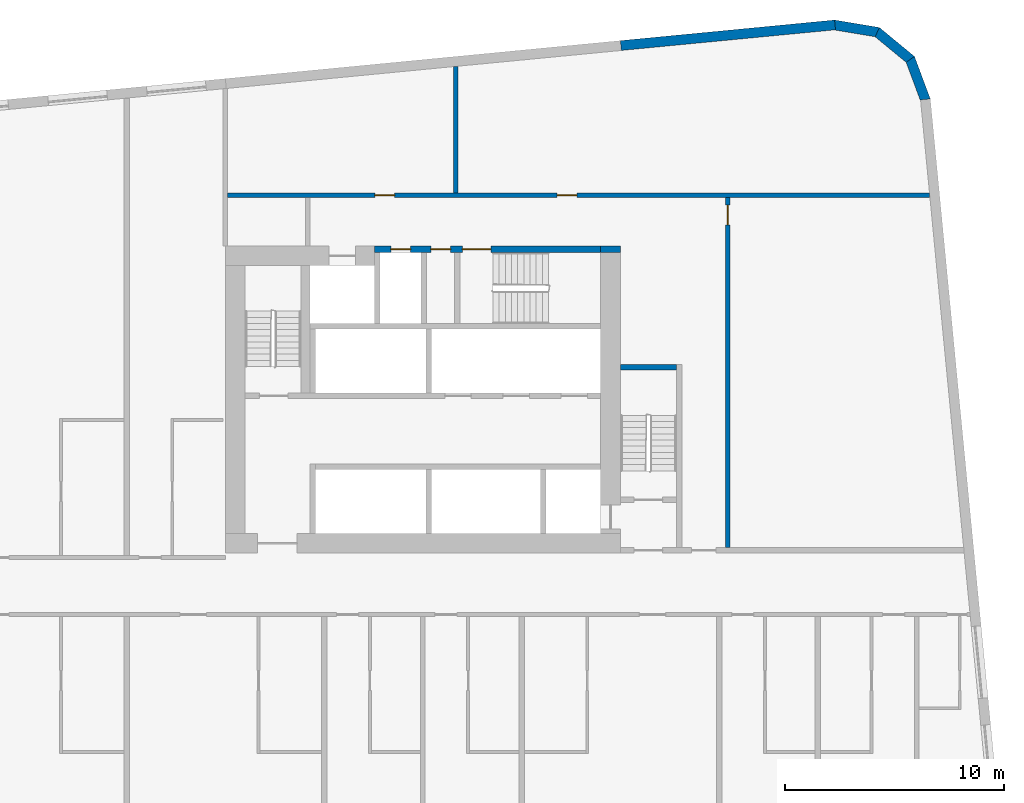
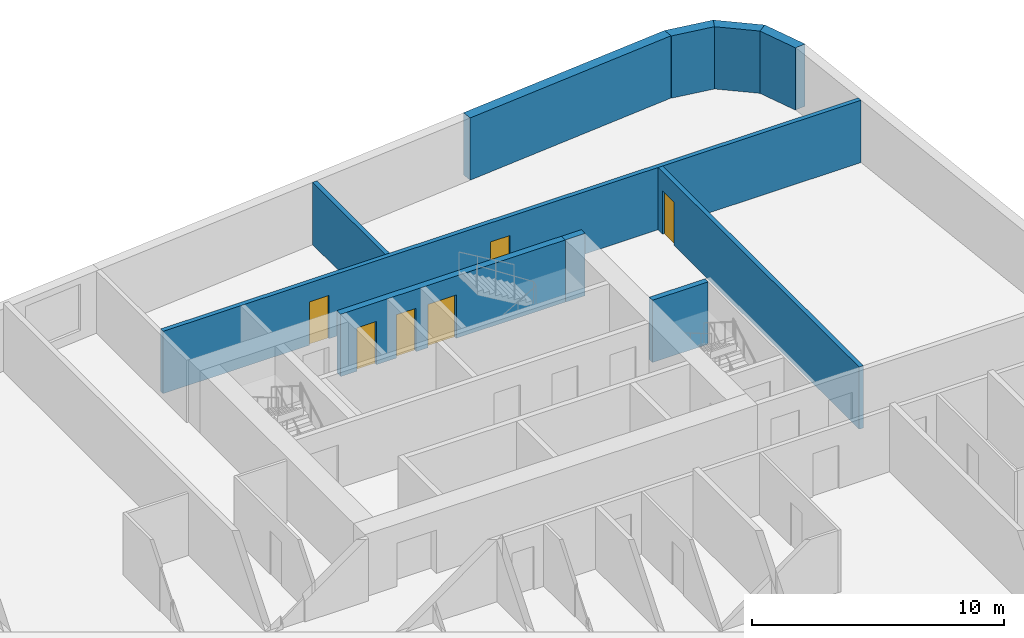
# One storey, part 8 of 12: 10 walls, 6 doors, 6 openings.
"""IFC4 building model written with IfcOpenShell, lengths in metres."""

from ifc_helpers import new_model, si_unit, direction, frame, frame_2d, origin, place, context, subcontext, project, spatial, polyline, rectangle, outline, extrude, material, layer, layer_set, type_object, element, fill, save


model = new_model("IFC4")

# Units and contexts
model_context = context("Model", 3, precision=1e-05, world=origin(), true_north=direction((0.0, 1.0)))
body_context = subcontext(model_context, "Body", "Model", "MODEL_VIEW")
ifc_project = project(units=[si_unit("LENGTHUNIT", "METRE"), si_unit("AREAUNIT", "SQUARE_METRE"), si_unit("VOLUMEUNIT", "CUBIC_METRE"), si_unit("PLANEANGLEUNIT", "RADIAN"), si_unit("MASSUNIT", "GRAM", prefix="KILO")], contexts=[model_context])

# Site, building, storey
site_placement = place(None, origin())
site = spatial("IfcSite", under=ifc_project, at=site_placement, CompositionType="ELEMENT")
building_placement = place(site_placement, origin())
building = spatial("IfcBuilding", under=site, at=building_placement, Name="Kajstack Hotel Tower", CompositionType="ELEMENT")
storey_placement = place(building_placement, frame((0.0, 0.0, 137.199951171875)))
storey = spatial("IfcBuildingStorey", under=building, at=storey_placement, Name="L31", CompositionType="ELEMENT", Elevation=137.199951171875)

# Walls
ifc_material_1 = material(Name="Concrete C60/75", Category="concrete")
ifc_layer_1 = layer(ifc_material_1, 0.89990234375)
ifc_layer_set_1 = layer_set([ifc_layer_1], Name="Core wall 900")
wall_type_1 = type_object("IfcWallType", Name="Core wall 900", PredefinedType="SHEAR", material=ifc_layer_set_1)
wall_1_placement = place(storey_placement, frame((30.60009765625, 15.35009765625, 0.0), z_axis=(0.0, 0.0, 1.0), x_axis=(1.0, 0.0, 0.0)))
element("IfcWall", 1, at=wall_1_placement, inside=storey, type_object=wall_type_1, Name="Core wall E RSW", PredefinedType="SHEAR", context=body_context, shape_type="SweptSolid", body=[
    extrude(rectangle(XDim=0.89990234375, YDim=0.300048828125, at=frame_2d((0.449951171875, 0.0))), origin(), (0.0, 0.0, 1.0), 3.02001953125),
])
ifc_material_2 = material(Name="Terracotta-faced brick masonry", Category="masonry")
ifc_layer_2 = layer(ifc_material_2, 0.449951171875)
ifc_layer_set_2 = layer_set([ifc_layer_2], Name="EW-TERRA")
wall_type_2 = type_object("IfcWallType", Name="EW-TERRA", PredefinedType="SOLIDWALL", material=ifc_layer_set_2)
wall_2_placement = place(storey_placement, frame((45.41162109375, 22.10986328125, 0.0), z_axis=(0.0, 0.0, 1.0), x_axis=(-0.350192909346, 0.936677599948, 0.0)))
element("IfcWall", 2, at=wall_2_placement, inside=storey, type_object=wall_type_2, Name="E-wall-L31-09-00", PredefinedType="SOLIDWALL", context=body_context, shape_type="SweptSolid", body=[
    extrude(outline(polyline([(0.0, -0.22509765625), (2.070556640625, -0.22509765625), (1.949951171875, 0.224853515625), (0.12060546875, 0.224853515625), (0.0, -0.22509765625)])), origin(), (0.0, 0.0, 1.0), 3.02001953125),
])
wall_3_placement = place(storey_placement, frame((44.754150390625, 23.95458984375, 0.0), z_axis=(0.0, 0.0, 1.0), x_axis=(-0.771651049663, 0.636046112757, 0.0)))
element("IfcWall", 3, at=wall_3_placement, inside=storey, type_object=wall_type_2, Name="E-wall-L31-10-00", PredefinedType="SOLIDWALL", context=body_context, shape_type="SweptSolid", body=[
    extrude(outline(polyline([(0.0, -0.22509765625), (2.070556640625, -0.22509765625), (1.949951171875, 0.224853515625), (0.12060546875, 0.22509765625), (0.0, -0.22509765625)])), origin(), (0.0, 0.0, 1.0), 3.02001953125),
])
wall_4_placement = place(storey_placement, frame((43.262451171875, 25.223388671875, 0.0), z_axis=(0.0, 0.0, 1.0), x_axis=(-0.986298144721, 0.164972633245, 0.0)))
element("IfcWall", 4, at=wall_4_placement, inside=storey, type_object=wall_type_2, Name="E-wall-L31-11-00", PredefinedType="SOLIDWALL", context=body_context, shape_type="SweptSolid", body=[
    extrude(outline(polyline([(0.0, -0.224853515625), (2.070556640625, -0.22509765625), (1.949951171875, 0.22509765625), (0.12060546875, 0.22509765625), (0.0, -0.224853515625)])), origin(), (0.0, 0.0, 1.0), 3.02001953125),
])
wall_5_placement = place(storey_placement, frame((41.279052734375, 25.56298828125, 0.0), z_axis=(0.0, 0.0, 1.0), x_axis=(-0.995394735506, -0.095860943703, 0.0)))
element("IfcWall", 5, at=wall_5_placement, inside=storey, type_object=wall_type_2, Name="E-wall-L31-12-00", PredefinedType="SOLIDWALL", context=body_context, shape_type="SweptSolid", body=[
    extrude(rectangle(XDim=9.802734375, YDim=0.449951171875, at=frame_2d((4.9013671875, 0.0))), origin(), (0.0, 0.0, 1.0), 3.02001953125),
])

# Wall, opening, door
ifc_material_3 = material(Name="Gypsum board on steel studs, mineral wool", Category="steel")
ifc_layer_3 = layer(ifc_material_3, 0.199951171875)
ifc_layer_set_3 = layer_set([ifc_layer_3], Name="Service partition 200")
wall_type_3 = type_object("IfcWallType", Name="Service partition 200", PredefinedType="PARTITIONING", material=ifc_layer_set_3)
wall_6_placement = place(storey_placement, frame((36.39990234375, 1.75, 0.0), z_axis=(0.0, 0.0, 1.0), x_axis=(0.0, 1.0, 0.0)))
wall_6 = element("IfcWall", 6, at=wall_6_placement, inside=storey, type_object=wall_type_3, Name="Partition E WRE", PredefinedType="PARTITIONING", context=body_context, shape_type="SweptSolid", body=[
    extrude(rectangle(XDim=15.949951171875, YDim=0.199951171875, at=frame_2d((7.97509765625, 0.0))), origin(), (0.0, 0.0, 1.0), 3.02001953125),
])
opening_1_placement = place(wall_6_placement, frame((14.699951171875, 0.0, 0.0)))
opening_1 = element("IfcOpeningElement", 7, at=opening_1_placement, cuts=wall_6, Name="Opening 31E16", PredefinedType="OPENING", context=body_context, shape_type="SweptSolid", body=[
    extrude(rectangle(XDim=0.89990234375, YDim=2.10009765625, at=frame_2d((0.449951171875, 1.050048828125))), frame((0.0, 0.10986328125, 0.0), z_axis=(0.0, -1.0, 0.0), x_axis=(1.0, 0.0, 0.0)), (0.0, 0.0, 1.0), 0.219970703125),
])
ifc_material_4 = material(Name="Timber leaf, fire-rated", Category="wood")
door_type_1 = type_object("IfcDoorType", Name="Service door 900", OperationType="SINGLE_SWING_LEFT", PredefinedType="DOOR", material=ifc_material_4)
door_1_placement = place(opening_1_placement, origin())
door_1 = element("IfcDoor", 8, at=door_1_placement, inside=storey, type_object=door_type_1, Name="Door 31E16", OperationType="SINGLE_SWING_RIGHT", OverallHeight=2.10009765625, OverallWidth=0.89990234375, PredefinedType="DOOR", context=body_context, shape_type="SweptSolid", body=[
    extrude(rectangle(XDim=0.89990234375, YDim=2.10009765625, at=frame_2d((0.449951171875, 1.050048828125))), frame((0.0, 0.02490234375, 0.0), z_axis=(0.0, -1.0, 0.0), x_axis=(1.0, 0.0, 0.0)), (0.0, 0.0, 1.0), 0.050048828125),
])
fill(opening_1, door_1)

# Wall, openings, doors
wall_7_placement = place(storey_placement, frame((13.60009765625, 17.800048828125, 0.0), z_axis=(0.0, 0.0, 1.0), x_axis=(1.0, 0.0, 0.0)))
wall_7 = element("IfcWall", 9, at=wall_7_placement, inside=storey, type_object=wall_type_3, Name="Partition E SLN", PredefinedType="PARTITIONING", context=body_context, shape_type="SweptSolid", body=[
    extrude(rectangle(XDim=31.992919921875, YDim=0.199951171875, at=frame_2d((15.99658203125, 0.0))), origin(), (0.0, 0.0, 1.0), 3.02001953125),
])
opening_2_placement = place(wall_7_placement, frame((15.012451171875, 0.0, 0.0)))
opening_2 = element("IfcOpeningElement", 10, at=opening_2_placement, cuts=wall_7, Name="Opening 31E14", PredefinedType="OPENING", context=body_context, shape_type="SweptSolid", body=[
    extrude(rectangle(XDim=0.89990234375, YDim=2.10009765625, at=frame_2d((0.449951171875, 1.050048828125))), frame((0.0, 0.10986328125, 0.0), z_axis=(0.0, -1.0, 0.0), x_axis=(1.0, 0.0, 0.0)), (0.0, 0.0, 1.0), 0.219970703125),
])
opening_3_placement = place(wall_7_placement, frame((6.71240234375, 0.0, 0.0)))
opening_3 = element("IfcOpeningElement", 11, at=opening_3_placement, cuts=wall_7, Name="Opening 31E15", PredefinedType="OPENING", context=body_context, shape_type="SweptSolid", body=[
    extrude(rectangle(XDim=0.89990234375, YDim=2.10009765625, at=frame_2d((0.449951171875, 1.050048828125))), frame((0.0, 0.10986328125, 0.0), z_axis=(0.0, -1.0, 0.0), x_axis=(1.0, 0.0, 0.0)), (0.0, 0.0, 1.0), 0.219970703125),
])
door_2_placement = place(opening_2_placement, origin())
door_2 = element("IfcDoor", 12, at=door_2_placement, inside=storey, type_object=door_type_1, Name="Door 31E14", OperationType="SINGLE_SWING_LEFT", OverallHeight=2.10009765625, OverallWidth=0.89990234375, PredefinedType="DOOR", context=body_context, shape_type="SweptSolid", body=[
    extrude(rectangle(XDim=0.89990234375, YDim=2.10009765625, at=frame_2d((0.449951171875, 1.050048828125))), frame((0.0, 0.02490234375, 0.0), z_axis=(0.0, -1.0, 0.0), x_axis=(1.0, 0.0, 0.0)), (0.0, 0.0, 1.0), 0.050048828125),
])
fill(opening_2, door_2)
door_3_placement = place(opening_3_placement, origin())
door_3 = element("IfcDoor", 13, at=door_3_placement, inside=storey, type_object=door_type_1, Name="Door 31E15", OperationType="SINGLE_SWING_LEFT", OverallHeight=2.10009765625, OverallWidth=0.89990234375, PredefinedType="DOOR", context=body_context, shape_type="SweptSolid", body=[
    extrude(rectangle(XDim=0.89990234375, YDim=2.10009765625, at=frame_2d((0.449951171875, 1.050048828125))), frame((0.0, 0.02490234375, 0.0), z_axis=(0.0, -1.0, 0.0), x_axis=(1.0, 0.0, 0.0)), (0.0, 0.0, 1.0), 0.050048828125),
])
fill(opening_3, door_3)

# Wall
wall_8_placement = place(storey_placement, frame((24.0, 17.89990234375, 0.0), z_axis=(0.0, 0.0, 1.0), x_axis=(0.0, 1.0, 0.0)))
element("IfcWall", 14, at=wall_8_placement, inside=storey, type_object=wall_type_3, Name="Partition E SLP0", PredefinedType="PARTITIONING", context=body_context, shape_type="SweptSolid", body=[
    extrude(rectangle(XDim=5.774169921875, YDim=0.199951171875, at=frame_2d((2.88720703125, 0.0))), origin(), (0.0, 0.0, 1.0), 3.02001953125),
])

# Wall, openings, doors
ifc_material_5 = material(Name="Concrete C50/60", Category="concrete")
ifc_layer_4 = layer(ifc_material_5, 0.25)
ifc_layer_set_4 = layer_set([ifc_layer_4], Name="Shaft wall 250")
wall_type_4 = type_object("IfcWallType", Name="Shaft wall 250", PredefinedType="SHEAR", material=ifc_layer_set_4)
wall_9_placement = place(storey_placement, frame((20.300048828125, 15.35009765625, 0.0), z_axis=(0.0, 0.0, 1.0), x_axis=(1.0, 0.0, 0.0)))
wall_9 = element("IfcWall", 15, at=wall_9_placement, inside=storey, type_object=wall_type_4, Name="Core wall E RSS", PredefinedType="SHEAR", context=body_context, shape_type="SweptSolid", body=[
    extrude(rectangle(XDim=10.300048828125, YDim=0.300048828125, at=frame_2d((5.14990234375, 0.0))), origin(), (0.0, 0.0, 1.0), 3.02001953125),
])
opening_4_placement = place(wall_9_placement, frame((4.0, 0.0, 0.0)))
opening_4 = element("IfcOpeningElement", 16, at=opening_4_placement, cuts=wall_9, Name="Opening 31E11", PredefinedType="OPENING", context=body_context, shape_type="SweptSolid", body=[
    extrude(rectangle(XDim=1.300048828125, YDim=2.10009765625, at=frame_2d((0.64990234375, 1.050048828125))), frame((0.0, 0.159912109375, 0.0), z_axis=(0.0, -1.0, 0.0), x_axis=(1.0, 0.0, 0.0)), (0.0, 0.0, 1.0), 0.320068359375),
])
opening_5_placement = place(wall_9_placement, frame((2.5625, 0.0, 0.0)))
opening_5 = element("IfcOpeningElement", 17, at=opening_5_placement, cuts=wall_9, Name="Opening 31E12", PredefinedType="OPENING", context=body_context, shape_type="SweptSolid", body=[
    extrude(rectangle(XDim=0.89990234375, YDim=2.10009765625, at=frame_2d((0.449951171875, 1.050048828125))), frame((0.0, 0.159912109375, 0.0), z_axis=(0.0, -1.0, 0.0), x_axis=(1.0, 0.0, 0.0)), (0.0, 0.0, 1.0), 0.320068359375),
])
opening_6_placement = place(wall_9_placement, frame((0.737548828125, 0.0, 0.0)))
opening_6 = element("IfcOpeningElement", 18, at=opening_6_placement, cuts=wall_9, Name="Opening 31E13", PredefinedType="OPENING", context=body_context, shape_type="SweptSolid", body=[
    extrude(rectangle(XDim=0.89990234375, YDim=2.10009765625, at=frame_2d((0.449951171875, 1.050048828125))), frame((0.0, 0.159912109375, 0.0), z_axis=(0.0, -1.0, 0.0), x_axis=(1.0, 0.0, 0.0)), (0.0, 0.0, 1.0), 0.320068359375),
])
ifc_material_6 = material(Name="Steel leaf, fire-rated", Category="steel")
door_type_2 = type_object("IfcDoorType", Name="Riser door 900", OperationType="SINGLE_SWING_LEFT", PredefinedType="DOOR", material=ifc_material_6)
door_4_placement = place(opening_6_placement, origin())
door_4 = element("IfcDoor", 19, at=door_4_placement, inside=storey, type_object=door_type_2, Name="Door 31E13", OperationType="SINGLE_SWING_RIGHT", OverallHeight=2.10009765625, OverallWidth=0.89990234375, PredefinedType="DOOR", context=body_context, shape_type="SweptSolid", body=[
    extrude(rectangle(XDim=0.89990234375, YDim=2.10009765625, at=frame_2d((0.449951171875, 1.050048828125))), frame((0.0, 0.02490234375, 0.0), z_axis=(0.0, -1.0, 0.0), x_axis=(1.0, 0.0, 0.0)), (0.0, 0.0, 1.0), 0.050048828125),
])
fill(opening_6, door_4)
door_5_placement = place(opening_5_placement, origin())
door_5 = element("IfcDoor", 20, at=door_5_placement, inside=storey, type_object=door_type_1, Name="Door 31E12", OperationType="SINGLE_SWING_RIGHT", OverallHeight=2.10009765625, OverallWidth=0.89990234375, PredefinedType="DOOR", context=body_context, shape_type="SweptSolid", body=[
    extrude(rectangle(XDim=0.89990234375, YDim=2.10009765625, at=frame_2d((0.449951171875, 1.050048828125))), frame((0.0, 0.02490234375, 0.0), z_axis=(0.0, -1.0, 0.0), x_axis=(1.0, 0.0, 0.0)), (0.0, 0.0, 1.0), 0.050048828125),
])
fill(opening_5, door_5)
door_type_3 = type_object("IfcDoorType", Name="Stair door 1300", OperationType="SINGLE_SWING_LEFT", PredefinedType="DOOR", material=ifc_material_6)
door_6_placement = place(opening_4_placement, origin())
door_6 = element("IfcDoor", 21, at=door_6_placement, inside=storey, type_object=door_type_3, Name="Door 31E11", OperationType="SINGLE_SWING_LEFT", OverallHeight=2.10009765625, OverallWidth=1.300048828125, PredefinedType="DOOR", context=body_context, shape_type="SweptSolid", body=[
    extrude(rectangle(XDim=1.300048828125, YDim=2.10009765625, at=frame_2d((0.64990234375, 1.050048828125))), frame((0.0, 0.02490234375, 0.0), z_axis=(0.0, -1.0, 0.0), x_axis=(1.0, 0.0, 0.0)), (0.0, 0.0, 1.0), 0.050048828125),
])
fill(opening_4, door_6)

# Wall
ifc_material_7 = material(Name="Concrete C40/50", Category="concrete")
ifc_layer_5 = layer(ifc_material_7, 0.25)
ifc_layer_set_5 = layer_set([ifc_layer_5], Name="Stair enclosure wall 250")
wall_type_5 = type_object("IfcWallType", Name="Stair enclosure wall 250", PredefinedType="SHEAR", material=ifc_layer_set_5)
wall_10_placement = place(storey_placement, frame((31.5, 9.97509765625, 0.0), z_axis=(0.0, 0.0, 1.0), x_axis=(1.0, 0.0, 0.0)))
element("IfcWall", 22, at=wall_10_placement, inside=storey, type_object=wall_type_5, Name="Core wall E W1S", PredefinedType="SHEAR", context=body_context, shape_type="SweptSolid", body=[
    extrude(rectangle(XDim=2.550048828125, YDim=0.25, at=frame_2d((1.27490234375, 0.0))), origin(), (0.0, 0.0, 1.0), 3.02001953125),
])

save(model, "model.ifc")
